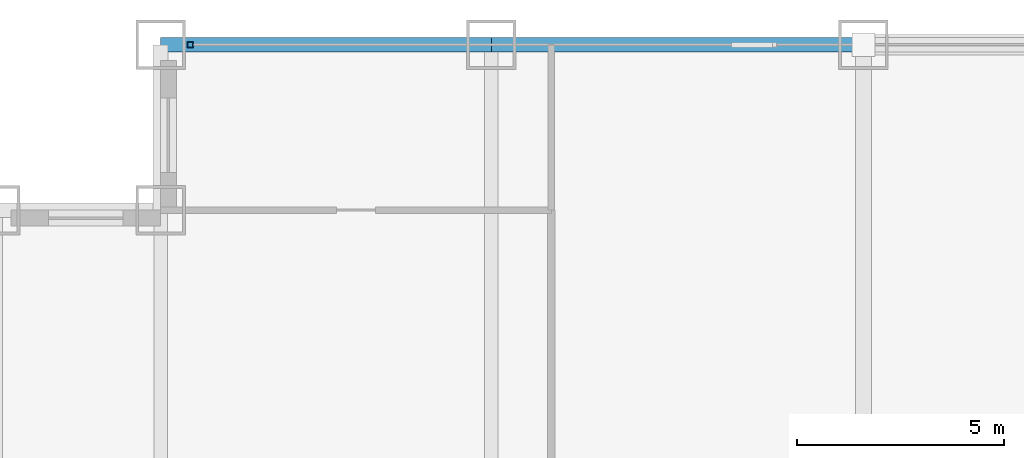
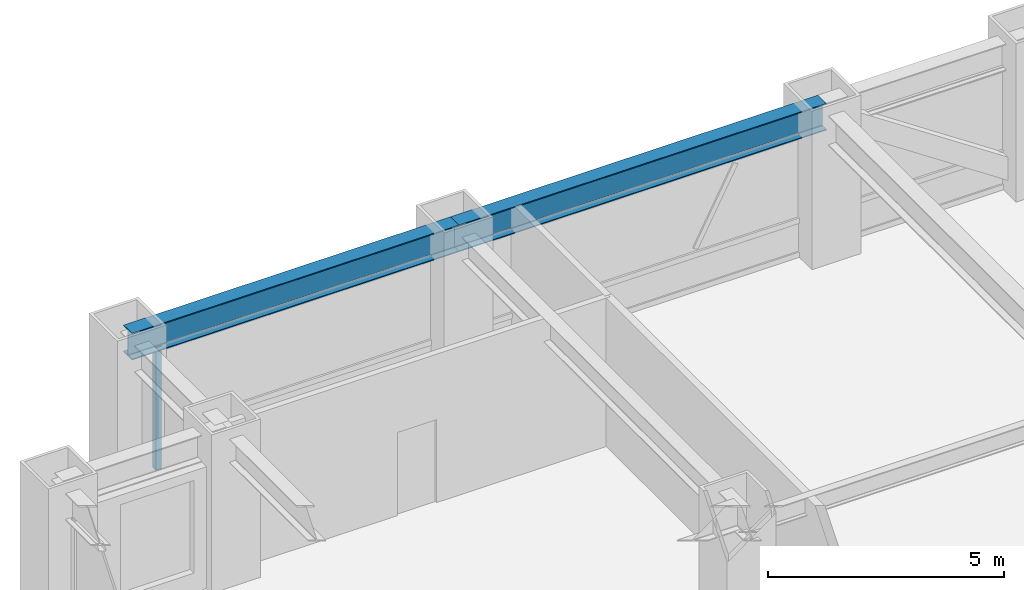
# One storey, part 17 of 28: 2 beams, 1 member, 1 element without a shape of its own.
"""IFC4 building model written with IfcOpenShell, lengths in metres."""

from ifc_helpers import new_model, si_unit, direction, frame, origin, origin_2d, place, context, subcontext, project, spatial, hollow_rectangle, i_section, extrude, source, transform, mapped, material, material_profile, profile_set, type_object, element, aggregate, save


model = new_model("IFC4")

# Units and contexts
model_context = context("Model", 3, precision=1e-05, world=origin(), true_north=direction((0.0, 1.0)))
body_context = subcontext(model_context, "Body", "Model", "MODEL_VIEW")
ifc_project = project(units=[si_unit("LENGTHUNIT", "METRE"), si_unit("AREAUNIT", "SQUARE_METRE"), si_unit("VOLUMEUNIT", "CUBIC_METRE"), si_unit("PLANEANGLEUNIT", "RADIAN"), si_unit("MASSUNIT", "GRAM", prefix="KILO")], contexts=[model_context])

# Site, building, storey
site_placement = place(None, origin())
site = spatial("IfcSite", under=ifc_project, at=site_placement, CompositionType="ELEMENT")
building_placement = place(site_placement, origin())
building = spatial("IfcBuilding", under=site, at=building_placement, Name="Khorayat Bourse Tower", CompositionType="ELEMENT")
storey_placement = place(building_placement, frame((0.0, 0.0, 120.10009765625)))
storey = spatial("IfcBuildingStorey", under=building, at=storey_placement, Name="L27", CompositionType="ELEMENT", Elevation=120.10009765625)

# Beams
ifc_material_1 = material(Name="Steel ASTM A992 Grade 50", Category="steel")
ifc_material_profile_1 = material_profile(ifc_material_1, i_section(OverallWidth=0.35498046875, OverallDepth=0.695068359375, WebThickness=0.015380859375, FlangeThickness=0.02490234375, FilletRadius=0.01806640625, at=origin_2d()), Name="W690X217")
ifc_profile_set_1 = profile_set([ifc_material_profile_1], Name="Steel ASTM A992 Grade 50")
beam_type = type_object("IfcBeamType", Name="BM-SPAN-690", PredefinedType="SPANDREL", material=ifc_profile_set_1)
shared_shape_1 = source(origin(), body_context, "Body", "SweptSolid", [
    extrude(i_section(OverallWidth=0.35498046875, OverallDepth=0.695068359375, WebThickness=0.015380859375, FlangeThickness=0.02490234375, FilletRadius=0.01806640625, at=origin_2d()), origin(), (0.0, 0.0, 1.0), 9.0),
])
beam_1_placement = place(storey_placement, frame((-20.0, 32.0, 3.492431640625), z_axis=(1.0, 0.0, 0.0), x_axis=(0.0, 1.0, 0.0)))
element("IfcBeam", 1, at=beam_1_placement, inside=storey, type_object=beam_type, Name="L27 BM-SPAN-690 BM-L27-SPN-050", PredefinedType="SPANDREL", context=body_context, shape_type="MappedRepresentation", body=[
    mapped(shared_shape_1, transform((0.0, 0.0, 0.0), scale=1.0)),
])
shared_shape_2 = source(origin(), body_context, "Body", "SweptSolid", [
    extrude(i_section(OverallWidth=0.35498046875, OverallDepth=0.695068359375, WebThickness=0.015380859375, FlangeThickness=0.02490234375, FilletRadius=0.01806640625, at=origin_2d()), origin(), (0.0, 0.0, 1.0), 8.0),
])
beam_2_placement = place(storey_placement, frame((-28.0, 32.0, 3.492431640625), z_axis=(1.0, 0.0, 0.0), x_axis=(0.0, 1.0, 0.0)))
element("IfcBeam", 2, at=beam_2_placement, inside=storey, type_object=beam_type, Name="L27 BM-SPAN-690 BM-L27-SPN-051", PredefinedType="SPANDREL", context=body_context, shape_type="MappedRepresentation", body=[
    mapped(shared_shape_2, transform((0.0, 0.0, 0.0), scale=1.0)),
])

# Curtain wall, member
ifc_material_2 = material(Name="Aluminium EN AW-6063 T6", Category="aluminium")
curtain_wall_type = type_object("IfcCurtainWallType", Name="CW-SYS-02", PredefinedType="NOTDEFINED", material=ifc_material_2)
curtain_wall_placement = place(storey_placement, origin())
curtain_wall = element("IfcCurtainWall", 3, at=curtain_wall_placement, inside=storey, type_object=curtain_wall_type, Name="L27 Curtain Wall CW-L27-N1", PredefinedType="NOTDEFINED")
ifc_material_profile_2 = material_profile(ifc_material_2, hollow_rectangle(XDim=0.139892578125, YDim=0.139892578125, WallThickness=0.006103515625, at=origin_2d()), Name="ALU 140x140x6")
ifc_profile_set_2 = profile_set([ifc_material_profile_2], Name="Aluminium EN AW-6063 T6")
member_type = type_object("IfcMemberType", Name="CWM-VERT-140", PredefinedType="MULLION", material=ifc_profile_set_2)
shared_shape_3 = source(origin(), body_context, "Body", "SweptSolid", [
    extrude(hollow_rectangle(XDim=0.139892578125, YDim=0.139892578125, WallThickness=0.006103515625, at=origin_2d()), origin(), (0.0, 0.0, 1.0), 3.18994140625),
])
member_placement = place(storey_placement, frame((-27.280029296875, 32.0, 0.0), z_axis=(0.0, 0.0, 1.0), x_axis=(0.0, 1.0, 0.0)))
member = element("IfcMember", 4, at=member_placement, type_object=member_type, Name="CW-L27-N1 Vertical Mullion 1", PredefinedType="MULLION", context=body_context, shape_type="MappedRepresentation", body=[
    mapped(shared_shape_3, transform((0.0, 0.0, 0.0), scale=1.0)),
])
aggregate(curtain_wall, [member])

save(model, "model.ifc")
